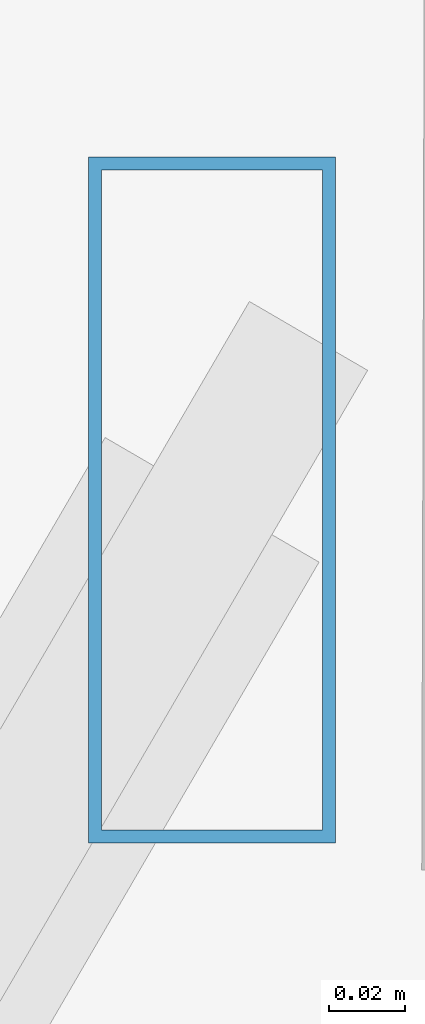
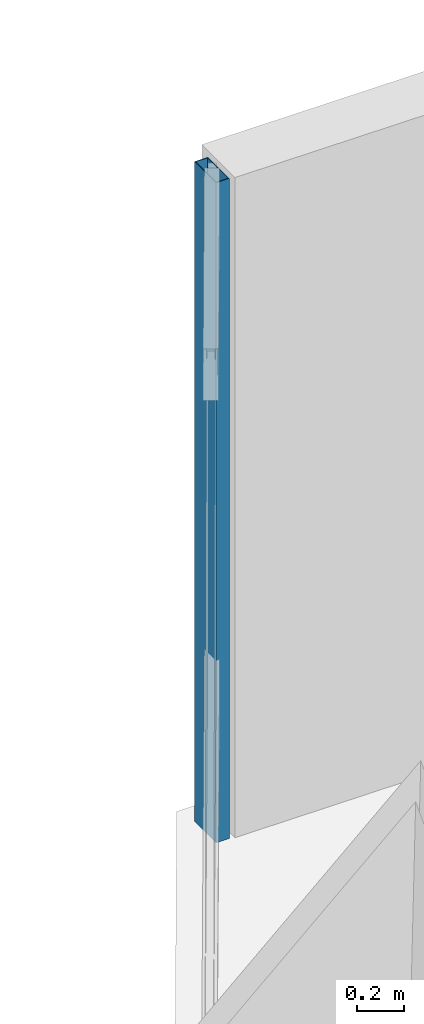
# One storey, part 24 of 33: 1 member, 1 element without a shape of its own.
"""IFC4 building model written with IfcOpenShell, lengths in metres."""

import ifcopenshell
import ifcopenshell.guid

model = None  # the IFC model being written
_history = None  # IfcOwnerHistory: only IFC2X3 demands one
_inside = {}  # id of a spatial element -> (the spatial element, [elements in it])
_under = {}  # id of a project, library or spatial element -> (it, [spatial elements below it])
_declared = {}  # id of a project -> (the project, [libraries it declares])
_typed = {}  # id of a type object -> (the type object, [elements of that type])
_made_of = {}  # id of a material, layer set ... -> (it, [elements and type objects made of it])


def new_model(schema):
    """Start an empty IFC model of exactly this schema.

    Asked for "IFC4X3", IfcOpenShell would pick the latest addendum, in which some entities
    have other attributes; the version numbers below select the first issue.
    IFC2X3 requires an IfcOwnerHistory on every rooted entity: one is made here for all.
    """
    global model, _history
    if schema == "IFC4X3":
        model = ifcopenshell.file(schema_version=(4, 3, 0, 0))
    else:
        model = ifcopenshell.file(schema=schema)
    _inside.clear()
    _under.clear()
    _declared.clear()
    _typed.clear()
    _made_of.clear()
    _history = None
    if model.schema == "IFC2X3":
        org = make("IfcOrganization", Name="unknown")
        user = make(
            "IfcPersonAndOrganization",
            ThePerson=make("IfcPerson", FamilyName="unknown"),
            TheOrganization=org,
        )
        app = make(
            "IfcApplication",
            ApplicationDeveloper=org,
            Version="unknown",
            ApplicationFullName="unknown",
            ApplicationIdentifier="unknown",
        )
        _history = make(
            "IfcOwnerHistory",
            OwningUser=user,
            OwningApplication=app,
            ChangeAction="ADDED",
            CreationDate=0,
        )
    return model


def make(cls, **values):
    """One entity of the class cls with the attributes given. An attribute that is None is left unset."""
    return model.create_entity(
        cls, **{name: value for name, value in values.items() if value is not None}
    )


def rooted(cls, **values):
    """An entity with a GlobalId (a new one), such as an element, a storey or a relation."""
    return make(cls, GlobalId=ifcopenshell.guid.new(), OwnerHistory=_history, **values)


def si_unit(unit_type, name, prefix=None):
    """IfcSIUnit, for example si_unit("LENGTHUNIT", "METRE", prefix="MILLI")."""
    return make("IfcSIUnit", UnitType=unit_type, Prefix=prefix, Name=name)


def assignment(units):
    """IfcUnitAssignment: the units of a project."""
    return None if units is None else make("IfcUnitAssignment", Units=units)


def point(xyz):
    """IfcCartesianPoint."""
    return None if xyz is None else make("IfcCartesianPoint", Coordinates=xyz)


def direction(xyz):
    """IfcDirection."""
    return None if xyz is None else make("IfcDirection", DirectionRatios=xyz)


def frame(location, z_axis=None, x_axis=None):
    """IfcAxis2Placement3D, a coordinate frame: its origin and axes. An axis left out is left unset."""
    return make(
        "IfcAxis2Placement3D",
        Location=point(location),
        Axis=direction(z_axis),
        RefDirection=direction(x_axis),
    )


def frame_2d(location, x_axis=None):
    """IfcAxis2Placement2D, a coordinate frame in the plane: its origin and x axis."""
    return make(
        "IfcAxis2Placement2D", Location=point(location), RefDirection=direction(x_axis)
    )


def origin():
    """The frame at (0, 0, 0) with its axes left unset."""
    return frame((0.0, 0.0, 0.0))


def origin_2d():
    """The frame at (0, 0) in the plane with its x axis left unset."""
    return frame_2d((0.0, 0.0))


def place(relative_to, where):
    """IfcLocalPlacement: puts the frame where relative to a parent placement (None: the world)."""
    return make(
        "IfcLocalPlacement", PlacementRelTo=relative_to, RelativePlacement=where
    )


def context(
    kind, dimensions, precision=None, world=None, true_north=None, identifier=None
):
    """IfcGeometricRepresentationContext, for example the 3D "Model" context."""
    return make(
        "IfcGeometricRepresentationContext",
        ContextIdentifier=identifier,
        ContextType=kind,
        CoordinateSpaceDimension=dimensions,
        Precision=precision,
        WorldCoordinateSystem=world,
        TrueNorth=true_north,
    )


def subcontext(parent, identifier, kind, view, scale=None):
    """IfcGeometricRepresentationSubContext, for example "Body" below "Model"."""
    return make(
        "IfcGeometricRepresentationSubContext",
        ContextIdentifier=identifier,
        ContextType=kind,
        ParentContext=parent,
        TargetScale=scale,
        TargetView=view,
    )


def project(units=None, contexts=None):
    """IfcProject with its units and contexts."""
    return rooted(
        "IfcProject",
        Name="project",
        RepresentationContexts=contexts,
        UnitsInContext=assignment(units),
    )


def spatial(cls, under=None, at=None, **own):
    """A site, building, storey or space (cls), placed at a placement, below another one or the project."""
    s = rooted(cls, ObjectPlacement=at, **own)
    if under is not None:
        _under.setdefault(under.id(), (under, []))[1].append(s)
    return s


def profile(cls, at=None, kind="AREA", **sizes):
    """A parametric profile (cls). Its sizes go by their IFC names, for example OverallWidth=200.0."""
    return make(cls, ProfileType=kind, Position=at, **sizes)


def hollow_rectangle(**sizes):
    """IfcRectangleHollowProfileDef."""
    return profile("IfcRectangleHollowProfileDef", **sizes)


def extrude(swept, where, along, depth):
    """IfcExtrudedAreaSolid: the profile swept, set in the frame where, extruded along a direction by depth."""
    return make(
        "IfcExtrudedAreaSolid",
        SweptArea=swept,
        Position=where,
        ExtrudedDirection=direction(along),
        Depth=depth,
    )


def shape(context_of_items, identifier, shape_type, items):
    """IfcShapeRepresentation: the items that make up one representation, for example the "Body"."""
    return make(
        "IfcShapeRepresentation",
        ContextOfItems=context_of_items,
        RepresentationIdentifier=identifier,
        RepresentationType=shape_type,
        Items=items,
    )


def source(mapping_origin, context_of_items, identifier, shape_type, items):
    """IfcRepresentationMap: a shape defined once, which mapped items show again and again."""
    return make(
        "IfcRepresentationMap",
        MappingOrigin=mapping_origin,
        MappedRepresentation=shape(context_of_items, identifier, shape_type, items),
    )


def transform(
    local_origin,
    x_axis=None,
    y_axis=None,
    z_axis=None,
    scale=None,
    scale2=None,
    scale3=None,
    uniform=True,
):
    """IfcCartesianTransformationOperator3D, or its non-uniform kind. x_axis, y_axis, z_axis: its Axis1, 2, 3."""
    if uniform:
        return make(
            "IfcCartesianTransformationOperator3D",
            Axis1=direction(x_axis),
            Axis2=direction(y_axis),
            LocalOrigin=point(local_origin),
            Scale=scale,
            Axis3=direction(z_axis),
        )
    return make(
        "IfcCartesianTransformationOperator3DnonUniform",
        Axis1=direction(x_axis),
        Axis2=direction(y_axis),
        LocalOrigin=point(local_origin),
        Scale=scale,
        Axis3=direction(z_axis),
        Scale2=scale2,
        Scale3=scale3,
    )


def mapped(mapping_source, mapping_target):
    """IfcMappedItem: shows the shape of a source again, moved by a transform."""
    return make(
        "IfcMappedItem", MappingSource=mapping_source, MappingTarget=mapping_target
    )


def material(Name=None, Category=None):
    """IfcMaterial."""
    return make("IfcMaterial", Name=Name, Category=Category)


def material_profile(
    of_material, cross_section, Name=None, Category=None, Priority=None
):
    """IfcMaterialProfile: a cross section and its material."""
    return make(
        "IfcMaterialProfile",
        Name=Name,
        Material=of_material,
        Profile=cross_section,
        Priority=Priority,
        Category=Category,
    )


def profile_set(profiles, Name=None, composite=None):
    """IfcMaterialProfileSet."""
    return make(
        "IfcMaterialProfileSet",
        Name=Name,
        MaterialProfiles=profiles,
        CompositeProfile=composite,
    )


def made_of(thing, what):
    """Note that an element or type object is made of a material, layer set ...; save() writes the relation."""
    if what is not None:
        _made_of.setdefault(what.id(), (what, []))[1].append(thing)
    return thing


def type_object(cls, material=None, **own):
    """A type object (cls), such as IfcWallType, which elements share."""
    return made_of(rooted(cls, **own), material)


def type_shapes(of_type, sources):
    """Give a type object the sources (RepresentationMaps) that its elements show as mapped items."""
    of_type.RepresentationMaps = sources


def element(
    cls,
    number,
    at=None,
    inside=None,
    cuts=None,
    type_object=None,
    material=None,
    context=None,
    identifier="Body",
    shape_type=None,
    held_by="IfcProductDefinitionShape",
    body=None,
    shapes=None,
    **own,
):
    """One element of the class cls, such as IfcWall. Its Tag is "e" and its number.

    at: its placement. inside: the storey or other place that contains it. cuts: it is an
    opening in that element (IfcRelVoidsElement). A single representation is given by context,
    identifier, shape_type and body (its items); several are given by shapes. held_by: the class
    of the entity that holds the representations. save() writes the other relations.
    """
    e = rooted(cls, Tag="e%d" % number, ObjectPlacement=at, **own)
    if body is not None:
        shapes = [shape(context, identifier, shape_type, body)]
    if shapes is not None:
        e.Representation = make(held_by, Representations=shapes)
    if inside is not None:
        _inside.setdefault(inside.id(), (inside, []))[1].append(e)
    if cuts is not None:
        rooted(
            "IfcRelVoidsElement", RelatingBuildingElement=cuts, RelatedOpeningElement=e
        )
    if type_object is not None:
        _typed.setdefault(type_object.id(), (type_object, []))[1].append(e)
    return made_of(e, material)


def aggregate(whole, parts):
    """IfcRelAggregates: a whole, such as a stair, and the parts it consists of."""
    return rooted("IfcRelAggregates", RelatingObject=whole, RelatedObjects=parts)


def save(model, path):
    """Write the relations noted so far, then the file.

    IfcRelAggregates (storeys below a building ...), IfcRelContainedInSpatialStructure (elements
    in a storey), IfcRelDefinesByType, IfcRelAssociatesMaterial and IfcRelDeclares: one each for
    every whole, place, type object, material and project.
    """
    for whole, parts in _under.values():
        aggregate(whole, parts)
    for where, things in _inside.values():
        rooted(
            "IfcRelContainedInSpatialStructure",
            RelatedElements=things,
            RelatingStructure=where,
        )
    for kind, things in _typed.values():
        rooted("IfcRelDefinesByType", RelatedObjects=things, RelatingType=kind)
    for what, things in _made_of.values():
        rooted("IfcRelAssociatesMaterial", RelatedObjects=things, RelatingMaterial=what)
    for by, libraries in _declared.values():
        rooted("IfcRelDeclares", RelatingContext=by, RelatedDefinitions=libraries)
    model.write(path)


model = new_model("IFC4")

# Units and contexts
model_context = context("Model", 3, precision=1e-05, world=origin(), true_north=direction((0.0, 1.0)))
body_context = subcontext(model_context, "Body", "Model", "MODEL_VIEW")
ifc_project = project(units=[si_unit("LENGTHUNIT", "METRE"), si_unit("AREAUNIT", "SQUARE_METRE"), si_unit("VOLUMEUNIT", "CUBIC_METRE"), si_unit("PLANEANGLEUNIT", "RADIAN"), si_unit("MASSUNIT", "GRAM", prefix="KILO")], contexts=[model_context])

# Site, building, storey
site_placement = place(None, origin())
site = spatial("IfcSite", under=ifc_project, at=site_placement, CompositionType="ELEMENT")
building_placement = place(site_placement, origin())
building = spatial("IfcBuilding", under=site, at=building_placement, Name="Caelisora Broadcast Tower", CompositionType="ELEMENT")
storey_placement = place(building_placement, frame((0.0, 0.0, 34.89990234375)))
storey = spatial("IfcBuildingStorey", under=building, at=storey_placement, Name="L08", CompositionType="ELEMENT", Elevation=34.89990234375)

# Curtain wall, member
ifc_material_1 = material(Name="Unitised Aluminium and Low-E Glass Curtain Wall", Category="glass")
curtain_wall_type = type_object("IfcCurtainWallType", Name="CW-Z1", PredefinedType="NOTDEFINED", material=ifc_material_1)
curtain_wall_placement = place(storey_placement, origin())
curtain_wall = element("IfcCurtainWall", 1, at=curtain_wall_placement, inside=storey, type_object=curtain_wall_type, Name="L08 curtain wall CW-Z1", PredefinedType="NOTDEFINED")
ifc_material_2 = material(Name="Aluminium 6063-T6 Anodised Terracotta Bronze", Category="aluminium")
ifc_material_profile = material_profile(ifc_material_2, hollow_rectangle(XDim=0.06494140625, YDim=0.179931640625, WallThickness=0.00341796875, at=origin_2d()), Name="Aluminium 6063-T6 Anodised Terracotta Bronze")
ifc_profile_set = profile_set([ifc_material_profile], Name="Aluminium 6063-T6 Anodised Terracotta Bronze")
member_type = type_object("IfcMemberType", Name="CWM-02", PredefinedType="MULLION", material=ifc_profile_set)
shared_shape = source(origin(), body_context, "Body", "SweptSolid", [
    extrude(hollow_rectangle(XDim=0.06494140625, YDim=0.179931640625, WallThickness=0.00341796875, at=origin_2d()), origin(), (0.0, 0.0, 1.0), 3.400146484375),
])
type_shapes(member_type, [shared_shape])
member_placement = place(storey_placement, frame((29.8876953125, 49.409912109375, 0.0), z_axis=(0.0, 0.0, 1.0), x_axis=(1.0, 0.0, 0.0)))
member = element("IfcMember", 2, at=member_placement, type_object=member_type, Name="L08-CW-B11 mullion #3", PredefinedType="MULLION", context=body_context, shape_type="MappedRepresentation", body=[
    mapped(shared_shape, transform((0.0, 0.0, 0.0), scale=1.0)),
])
aggregate(curtain_wall, [member])

save(model, "model.ifc")
